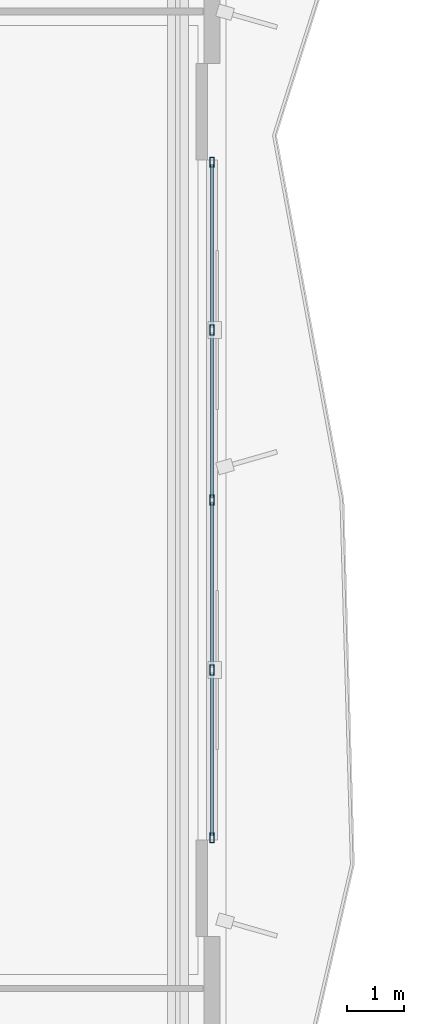
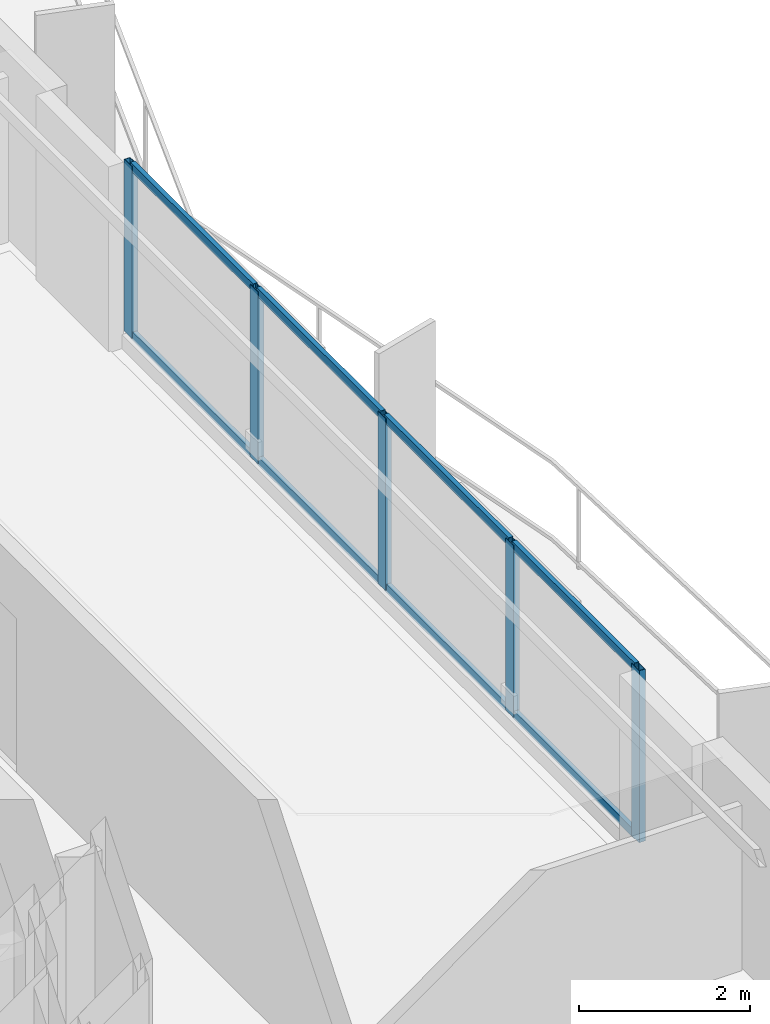
# One storey, part 6 of 16: 13 members, 1 element without a shape of its own.
"""IFC4 building model written with IfcOpenShell, lengths in metres."""

from ifc_helpers import new_model, si_unit, direction, frame, origin, origin_2d, place, context, subcontext, project, spatial, hollow_rectangle, extrude, material, layer, layer_set, material_profile, profile_set, type_object, element, aggregate, save


model = new_model("IFC4")

# Units and contexts
model_context = context("Model", 3, precision=1e-05, world=origin(), true_north=direction((0.0, 1.0)))
body_context = subcontext(model_context, "Body", "Model", "MODEL_VIEW")
ifc_project = project(units=[si_unit("LENGTHUNIT", "METRE"), si_unit("AREAUNIT", "SQUARE_METRE"), si_unit("VOLUMEUNIT", "CUBIC_METRE"), si_unit("PLANEANGLEUNIT", "RADIAN"), si_unit("MASSUNIT", "GRAM", prefix="KILO")], contexts=[model_context])

# Site, building, storey
site_placement = place(None, origin())
site = spatial("IfcSite", under=ifc_project, at=site_placement, CompositionType="ELEMENT")
building_placement = place(site_placement, origin())
building = spatial("IfcBuilding", under=site, at=building_placement, Name="Mersakhor Tower and Convention Hall", CompositionType="ELEMENT")
storey_placement = place(building_placement, frame((0.0, 0.0, 19.199951171875)))
storey = spatial("IfcBuildingStorey", under=building, at=storey_placement, Name="L04", CompositionType="ELEMENT", Elevation=19.199951171875)

# Curtain wall, members
ifc_material_1 = material(Name="Dark solar low-E aluminium curtain wall", Category="aluminium")
ifc_layer = layer(ifc_material_1, 0.18994140625)
ifc_layer_set = layer_set([ifc_layer], Name="Dark solar low-E aluminium curtain wall")
curtain_wall_type = type_object("IfcCurtainWallType", Name="CW-SYS-04", PredefinedType="USERDEFINED", material=ifc_layer_set)
curtain_wall_placement = place(storey_placement, origin())
curtain_wall = element("IfcCurtainWall", 1, at=curtain_wall_placement, inside=storey, type_object=curtain_wall_type, Name="L04 Dark-Glass Curtain Wall F2-B2", ObjectType="CURTAIN WALL", PredefinedType="USERDEFINED")
ifc_material_2 = material(Name="Anodised aluminium EN AW-6063 T6", Category="aluminium")
ifc_material_profile_1 = material_profile(ifc_material_2, hollow_rectangle(XDim=0.080078125, YDim=0.179931640625, WallThickness=0.008056640625, at=origin_2d()), Name="RHS 180x80x8")
ifc_profile_set_1 = profile_set([ifc_material_profile_1], Name="Anodised aluminium EN AW-6063 T6")
member_type_1 = type_object("IfcMemberType", Name="CWM-180x80", PredefinedType="MULLION", material=ifc_profile_set_1)
member_1_placement = place(storey_placement, frame((43.85009765625, 32.696533203125, 0.199951171875), z_axis=(0.0, 0.0, 1.0), x_axis=(1.0, 0.0, 0.0)))
member_1 = element("IfcMember", 2, at=member_1_placement, type_object=member_type_1, Name="CW-04 mullion 1", PredefinedType="MULLION", context=body_context, shape_type="SweptSolid", body=[
    extrude(hollow_rectangle(XDim=0.080078125, YDim=0.179931640625, WallThickness=0.008056640625, at=origin_2d()), origin(), (0.0, 0.0, 1.0), 2.460205078125),
])
member_2_placement = place(storey_placement, frame((43.85009765625, 29.743408203125, 0.199951171875), z_axis=(0.0, 0.0, 1.0), x_axis=(1.0, 0.0, 0.0)))
member_2 = element("IfcMember", 3, at=member_2_placement, type_object=member_type_1, Name="CW-04 mullion 2", PredefinedType="MULLION", context=body_context, shape_type="SweptSolid", body=[
    extrude(hollow_rectangle(XDim=0.080078125, YDim=0.179931640625, WallThickness=0.008056640625, at=origin_2d()), origin(), (0.0, 0.0, 1.0), 2.460205078125),
])
member_3_placement = place(storey_placement, frame((43.85009765625, 26.75, 0.199951171875), z_axis=(0.0, 0.0, 1.0), x_axis=(1.0, 0.0, 0.0)))
member_3 = element("IfcMember", 4, at=member_3_placement, type_object=member_type_1, Name="CW-04 mullion 3", PredefinedType="MULLION", context=body_context, shape_type="SweptSolid", body=[
    extrude(hollow_rectangle(XDim=0.080078125, YDim=0.179931640625, WallThickness=0.008056640625, at=origin_2d()), origin(), (0.0, 0.0, 1.0), 2.460205078125),
])
member_4_placement = place(storey_placement, frame((43.85009765625, 23.756591796875, 0.199951171875), z_axis=(0.0, 0.0, 1.0), x_axis=(1.0, 0.0, 0.0)))
member_4 = element("IfcMember", 5, at=member_4_placement, type_object=member_type_1, Name="CW-04 mullion 4", PredefinedType="MULLION", context=body_context, shape_type="SweptSolid", body=[
    extrude(hollow_rectangle(XDim=0.080078125, YDim=0.179931640625, WallThickness=0.008056640625, at=origin_2d()), origin(), (0.0, 0.0, 1.0), 2.460205078125),
])
member_5_placement = place(storey_placement, frame((43.85009765625, 20.803466796875, 0.199951171875), z_axis=(0.0, 0.0, 1.0), x_axis=(1.0, 0.0, 0.0)))
member_5 = element("IfcMember", 6, at=member_5_placement, type_object=member_type_1, Name="CW-04 mullion 5", PredefinedType="MULLION", context=body_context, shape_type="SweptSolid", body=[
    extrude(hollow_rectangle(XDim=0.080078125, YDim=0.179931640625, WallThickness=0.008056640625, at=origin_2d()), origin(), (0.0, 0.0, 1.0), 2.460205078125),
])
ifc_material_3 = material(Name="Anodised aluminium EN AW-6063 T6", Category="aluminium")
ifc_material_profile_2 = material_profile(ifc_material_3, hollow_rectangle(XDim=0.06005859375, YDim=0.1201171875, WallThickness=0.0048828125, at=origin_2d()), Name="RHS 120x60x5")
ifc_profile_set_2 = profile_set([ifc_material_profile_2], Name="Anodised aluminium EN AW-6063 T6")
member_type_2 = type_object("IfcMemberType", Name="CWT-120x60", PredefinedType="USERDEFINED", material=ifc_profile_set_2)
member_6_placement = place(storey_placement, frame((43.85009765625, 32.656494140625, 0.22998046875), z_axis=(0.0, -1.0, 0.0), x_axis=(1.0, 0.0, 0.0)))
member_6 = element("IfcMember", 7, at=member_6_placement, type_object=member_type_2, Name="CW-04 transom 1.1", ObjectType="TRANSOM", PredefinedType="USERDEFINED", context=body_context, shape_type="SweptSolid", body=[
    extrude(hollow_rectangle(XDim=0.06005859375, YDim=0.1201171875, WallThickness=0.0048828125, at=origin_2d()), origin(), (0.0, 0.0, 1.0), 2.873291015625),
])
member_7_placement = place(storey_placement, frame((43.85009765625, 32.656494140625, 2.630126953125), z_axis=(0.0, -1.0, 0.0), x_axis=(1.0, 0.0, 0.0)))
member_7 = element("IfcMember", 8, at=member_7_placement, type_object=member_type_2, Name="CW-04 transom 1.2", ObjectType="TRANSOM", PredefinedType="USERDEFINED", context=body_context, shape_type="SweptSolid", body=[
    extrude(hollow_rectangle(XDim=0.06005859375, YDim=0.1201171875, WallThickness=0.0048828125, at=origin_2d()), origin(), (0.0, 0.0, 1.0), 2.873291015625),
])
member_8_placement = place(storey_placement, frame((43.85009765625, 29.703369140625, 0.22998046875), z_axis=(0.0, -1.0, 0.0), x_axis=(1.0, 0.0, 0.0)))
member_8 = element("IfcMember", 9, at=member_8_placement, type_object=member_type_2, Name="CW-04 transom 2.1", ObjectType="TRANSOM", PredefinedType="USERDEFINED", context=body_context, shape_type="SweptSolid", body=[
    extrude(hollow_rectangle(XDim=0.06005859375, YDim=0.1201171875, WallThickness=0.0048828125, at=origin_2d()), origin(), (0.0, 0.0, 1.0), 2.913330078125),
])
member_9_placement = place(storey_placement, frame((43.85009765625, 29.703369140625, 2.630126953125), z_axis=(0.0, -1.0, 0.0), x_axis=(1.0, 0.0, 0.0)))
member_9 = element("IfcMember", 10, at=member_9_placement, type_object=member_type_2, Name="CW-04 transom 2.2", ObjectType="TRANSOM", PredefinedType="USERDEFINED", context=body_context, shape_type="SweptSolid", body=[
    extrude(hollow_rectangle(XDim=0.06005859375, YDim=0.1201171875, WallThickness=0.0048828125, at=origin_2d()), origin(), (0.0, 0.0, 1.0), 2.913330078125),
])
member_10_placement = place(storey_placement, frame((43.85009765625, 26.7099609375, 0.22998046875), z_axis=(0.0, -1.0, 0.0), x_axis=(1.0, 0.0, 0.0)))
member_10 = element("IfcMember", 11, at=member_10_placement, type_object=member_type_2, Name="CW-04 transom 3.1", ObjectType="TRANSOM", PredefinedType="USERDEFINED", context=body_context, shape_type="SweptSolid", body=[
    extrude(hollow_rectangle(XDim=0.06005859375, YDim=0.1201171875, WallThickness=0.0048828125, at=origin_2d()), origin(), (0.0, 0.0, 1.0), 2.913330078125),
])
member_11_placement = place(storey_placement, frame((43.85009765625, 26.7099609375, 2.630126953125), z_axis=(0.0, -1.0, 0.0), x_axis=(1.0, 0.0, 0.0)))
member_11 = element("IfcMember", 12, at=member_11_placement, type_object=member_type_2, Name="CW-04 transom 3.2", ObjectType="TRANSOM", PredefinedType="USERDEFINED", context=body_context, shape_type="SweptSolid", body=[
    extrude(hollow_rectangle(XDim=0.06005859375, YDim=0.1201171875, WallThickness=0.0048828125, at=origin_2d()), origin(), (0.0, 0.0, 1.0), 2.913330078125),
])
member_12_placement = place(storey_placement, frame((43.85009765625, 23.716796875, 0.22998046875), z_axis=(0.0, -1.0, 0.0), x_axis=(1.0, 0.0, 0.0)))
member_12 = element("IfcMember", 13, at=member_12_placement, type_object=member_type_2, Name="CW-04 transom 4.1", ObjectType="TRANSOM", PredefinedType="USERDEFINED", context=body_context, shape_type="SweptSolid", body=[
    extrude(hollow_rectangle(XDim=0.06005859375, YDim=0.1201171875, WallThickness=0.0048828125, at=origin_2d()), origin(), (0.0, 0.0, 1.0), 2.873291015625),
])
member_13_placement = place(storey_placement, frame((43.85009765625, 23.716796875, 2.630126953125), z_axis=(0.0, -1.0, 0.0), x_axis=(1.0, 0.0, 0.0)))
member_13 = element("IfcMember", 14, at=member_13_placement, type_object=member_type_2, Name="CW-04 transom 4.2", ObjectType="TRANSOM", PredefinedType="USERDEFINED", context=body_context, shape_type="SweptSolid", body=[
    extrude(hollow_rectangle(XDim=0.06005859375, YDim=0.1201171875, WallThickness=0.0048828125, at=origin_2d()), origin(), (0.0, 0.0, 1.0), 2.873291015625),
])
aggregate(curtain_wall, [member_1, member_2, member_3, member_4, member_5, member_6, member_7, member_8, member_9, member_10, member_11, member_12, member_13])

save(model, "model.ifc")
